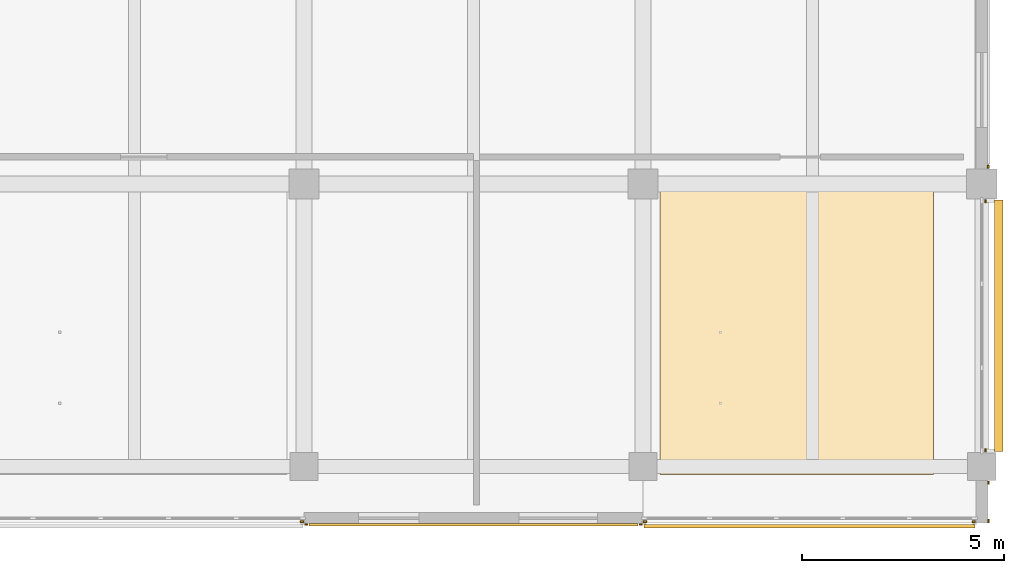
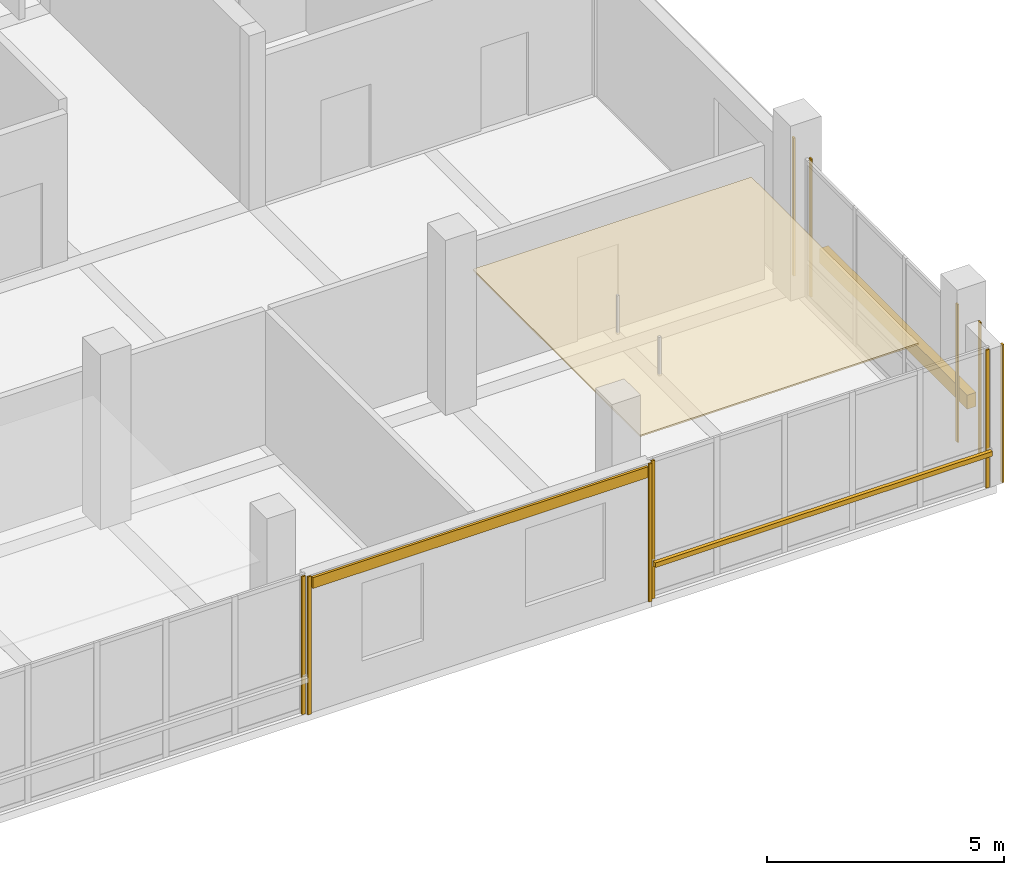
# One storey, part 27 of 32: 12 coverings, 2 shading devices.
"""IFC4 building model written with IfcOpenShell, lengths in metres."""

from ifc_helpers import new_model, si_unit, direction, frame, origin, origin_2d, place, context, subcontext, project, spatial, polyline, rectangle, outline, extrude, material, layer, layer_set, type_object, element, save


model = new_model("IFC4")

# Units and contexts
model_context = context("Model", 3, precision=1e-05, world=origin(), true_north=direction((0.0, 1.0)))
body_context = subcontext(model_context, "Body", "Model", "MODEL_VIEW")
ifc_project = project(units=[si_unit("LENGTHUNIT", "METRE"), si_unit("AREAUNIT", "SQUARE_METRE"), si_unit("VOLUMEUNIT", "CUBIC_METRE"), si_unit("PLANEANGLEUNIT", "RADIAN"), si_unit("MASSUNIT", "GRAM", prefix="KILO")], contexts=[model_context])

# Site, building, storey
site_placement = place(None, origin())
site = spatial("IfcSite", under=ifc_project, at=site_placement, CompositionType="ELEMENT")
building_placement = place(site_placement, origin())
building = spatial("IfcBuilding", under=site, at=building_placement, Name="Telukmera Botanical Conservatory", CompositionType="ELEMENT")
storey_placement = place(building_placement, frame((0.0, 0.0, 42.0)))
storey = spatial("IfcBuildingStorey", under=building, at=storey_placement, Name="L09", CompositionType="ELEMENT", Elevation=42.0)

# Coverings
ifc_material_1 = material(Name="Perforated gypsum acoustic ceiling")
ifc_layer_1 = layer(ifc_material_1, 0.0400390625)
ifc_layer_set_1 = layer_set([ifc_layer_1], Name="Perforated gypsum acoustic ceiling")
covering_type_1 = type_object("IfcCoveringType", Name="COV-CEIL-40", PredefinedType="CEILING", material=ifc_layer_set_1)
covering_1_placement = place(storey_placement, frame((0.0, 0.0, 3.31005859375)))
element("IfcCovering", 1, at=covering_1_placement, inside=storey, type_object=covering_type_1, Name="L09 Laboratory Write-Up Studio Suspended Acoustic Ceiling", PredefinedType="CEILING", context=body_context, shape_type="SweptSolid", body=[
    extrude(outline(polyline([(92.820068359375, 10.39990234375), (99.60009765625, 10.39990234375), (99.60009765625, 17.449951171875), (92.820068359375, 17.449951171875), (92.820068359375, 10.39990234375)])), origin(), (0.0, 0.0, 1.0), 0.0400390625),
])
ifc_material_2 = material(Name="Granite-faced precast concrete C40/50", Category="masonry")
ifc_layer_2 = layer(ifc_material_2, 0.0400390625)
ifc_layer_set_2 = layer_set([ifc_layer_2], Name="Granite-faced precast concrete C40/50")
covering_type_2 = type_object("IfcCoveringType", Name="Granite Precast Column Pier Reveal Casing", PredefinedType="CLADDING", material=ifc_layer_set_2)
for number, where, z_axis, x_axis, name in (
    (2, (100.969970703125, 9.25, 0.0), (0.0, 0.0, 1.0), (0.0, 1.0, 0.0), "Granite Pier Reveal V4:L09:SEC L"),
    (3, (100.969970703125, 10.197998046875, 0.0), (0.0, 0.0, 1.0), (0.0, 1.0, 0.0), "Granite Pier Reveal V4:L09:SEC R"),
    (4, (83.947998046875, 9.22998046875, 0.0), (0.0, 0.0, 1.0), (1.0, 0.0, 0.0), "Granite Pier Reveal V4:L09:S4 R"),
    (5, (84.052001953125, 9.159912109375, 0.0), (0.0, 0.0, 1.0), (1.0, 0.0, 0.0), "Granite Pier Reveal V4:L09:S5 L"),
    (6, (92.347900390625, 9.159912109375, 0.0), (0.0, 0.0, 1.0), (1.0, 0.0, 0.0), "Granite Pier Reveal V4:L09:S5 R"),
    (7, (92.451904296875, 9.22998046875, 0.0), (0.0, 0.0, 1.0), (1.0, 0.0, 0.0), "Granite Pier Reveal V4:L09:S6 L"),
    (8, (100.597900390625, 9.22998046875, 0.0), (0.0, 0.0, 1.0), (1.0, 0.0, 0.0), "Granite Pier Reveal V4:L09:S6 R"),
    (9, (100.889892578125, 11.001953125, 0.0), (0.0, 0.0, 1.0), (0.0, 1.0, 0.0), "Granite Pier Reveal V4:L09:E1 L"),
    (10, (100.889892578125, 17.173095703125, 0.0), (0.0, 0.0, 1.0), (0.0, 1.0, 0.0), "Granite Pier Reveal V4:L09:E1 R"),
    (11, (100.9599609375, 18.027099609375, 0.0), (0.0, 0.0, 1.0), (0.0, 1.0, 0.0), "Granite Pier Reveal V4:L09:E2 L"),
):
    element("IfcCovering", number, at=place(storey_placement, frame(where, z_axis=z_axis, x_axis=x_axis)), inside=storey, type_object=covering_type_2, Name=name, PredefinedType="CLADDING", context=body_context, shape_type="SweptSolid", body=[
        extrude(rectangle(XDim=0.080078125, YDim=0.0400390625, at=origin_2d()), origin(), (0.0, 0.0, 1.0), 3.550048828125),
    ])

# Shading devices
ifc_material_3 = material(Name="Perforated terracotta-anodised aluminium 6063-T6", Category="masonry")
ifc_layer_3 = layer(ifc_material_3, 0.050048828125)
ifc_layer_set_3 = layer_set([ifc_layer_3], Name="Perforated terracotta-anodised aluminium 6063-T6")
shading_device_type_1 = type_object("IfcShadingDeviceType", Name="Operable Monsoon Solar Louvre Shutter Bank", PredefinedType="SHUTTER", material=ifc_layer_set_3)
shading_device_1_placement = place(storey_placement, frame((101.219970703125, 14.08740234375, 0.77001953125), z_axis=(0.0, 0.0, 1.0), x_axis=(0.0, 1.0, 0.0)))
element("IfcShadingDevice", 12, at=shading_device_1_placement, inside=storey, type_object=shading_device_type_1, Name="Monsoon Shading SH01 V4:L09:E1", PredefinedType="SHUTTER", context=body_context, shape_type="SweptSolid", body=[
    extrude(rectangle(XDim=6.23095703125, YDim=0.219970703125, at=origin_2d()), origin(), (0.0, 0.0, 1.0), 0.360107421875),
])
ifc_layer_4 = layer(ifc_material_3, 0.044921875)
ifc_layer_set_4 = layer_set([ifc_layer_4], Name="Perforated terracotta-anodised aluminium 6063-T6")
shading_device_type_2 = type_object("IfcShadingDeviceType", Name="Perforated Terracotta Aluminium Monsoon Brise Soleil", PredefinedType="JALOUSIE", material=ifc_layer_set_4)
shading_device_2_placement = place(storey_placement, frame((96.52490234375, 9.114990234375, 0.889892578125), z_axis=(0.0, 0.0, 1.0), x_axis=(1.0, 0.0, 0.0)))
element("IfcShadingDevice", 13, at=shading_device_2_placement, inside=storey, type_object=shading_device_type_2, Name="Monsoon Shading BS01 V4:L09:S6", PredefinedType="JALOUSIE", context=body_context, shape_type="SweptSolid", body=[
    extrude(rectangle(XDim=8.2060546875, YDim=0.090087890625, at=origin_2d()), origin(), (0.0, 0.0, 1.0), 0.1201171875),
])

# Covering
ifc_material_4 = material(Name="Terracotta-faced precast concrete C40/50", Category="masonry")
ifc_layer_5 = layer(ifc_material_4, 0.06005859375)
ifc_layer_set_5 = layer_set([ifc_layer_5], Name="Terracotta-faced precast concrete C40/50")
covering_type_3 = type_object("IfcCoveringType", Name="Polychrome Terracotta Facade Band Cladding", PredefinedType="CLADDING", material=ifc_layer_set_5)
covering_2_placement = place(storey_placement, frame((88.199951171875, 9.14990234375, 3.22998046875), z_axis=(0.0, 0.0, 1.0), x_axis=(1.0, 0.0, 0.0)))
element("IfcCovering", 14, at=covering_2_placement, inside=storey, type_object=covering_type_3, Name="Polychrome Terracotta Band V4:L09:S5", PredefinedType="CLADDING", context=body_context, shape_type="SweptSolid", body=[
    extrude(rectangle(XDim=8.156005859375, YDim=0.06005859375, at=origin_2d()), origin(), (0.0, 0.0, 1.0), 0.280029296875),
])

save(model, "model.ifc")
